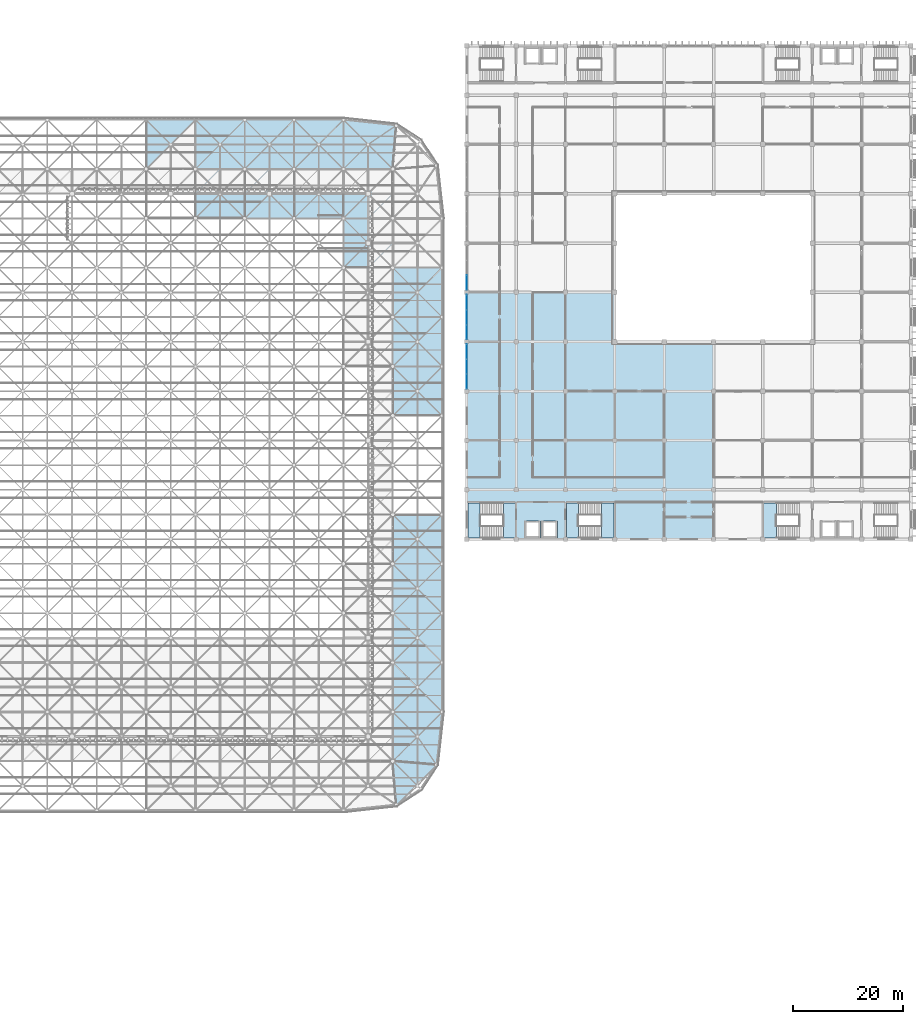
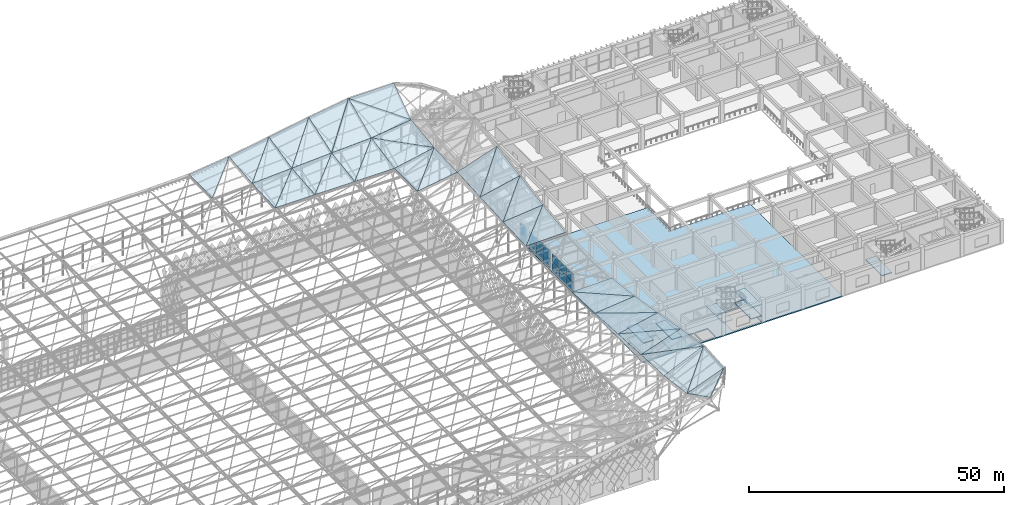
# One storey, part 248 of 437: 44 slabs, 14 plates, 6 elements without a shape of their own.
"""IFC4 building model written with IfcOpenShell, lengths in metres."""

from ifc_helpers import new_model, si_unit, direction, frame, origin, origin_2d, place, context, subcontext, project, spatial, polyline, rectangle, outline, extrude, material, layer, layer_set, type_object, element, aggregate, save


model = new_model("IFC4")

# Units and contexts
model_context = context("Model", 3, precision=1e-05, world=origin(), true_north=direction((0.0, 1.0)))
body_context = subcontext(model_context, "Body", "Model", "MODEL_VIEW")
ifc_project = project(units=[si_unit("LENGTHUNIT", "METRE"), si_unit("AREAUNIT", "SQUARE_METRE"), si_unit("VOLUMEUNIT", "CUBIC_METRE"), si_unit("PLANEANGLEUNIT", "RADIAN"), si_unit("MASSUNIT", "GRAM", prefix="KILO")], contexts=[model_context])

# Site, building, storey
site_placement = place(None, origin())
site = spatial("IfcSite", under=ifc_project, at=site_placement, CompositionType="ELEMENT")
building_placement = place(site_placement, origin())
building = spatial("IfcBuilding", under=site, at=building_placement, Name="Opaline Strait Convention Centre", CompositionType="ELEMENT")
storey_placement = place(building_placement, frame((0.0, 0.0, 11.5)))
storey = spatial("IfcBuildingStorey", under=building, at=storey_placement, Name="L02", CompositionType="ELEMENT", Elevation=11.5)

# Curtain wall, plates
ifc_material_1 = material(Name="Aluminium framed double glazing", Category="aluminium")
ifc_layer_1 = layer(ifc_material_1, 0.199951171875)
ifc_layer_set_1 = layer_set([ifc_layer_1], Name="Aluminium framed double glazing")
curtain_wall_type = type_object("IfcCurtainWallType", Name="Curtain wall 3000 module unitised", PredefinedType="NOTDEFINED", material=ifc_layer_set_1)
curtain_wall_1_placement = place(storey_placement, origin())
curtain_wall_1 = element("IfcCurtainWall", 1, at=curtain_wall_1_placement, inside=storey, type_object=curtain_wall_type, Name="Curtain wall W L02 32/P", PredefinedType="NOTDEFINED")
ifc_material_2 = material(Name="Double glazed unit low emissivity", Category="glass")
ifc_layer_2 = layer(ifc_material_2, 0.028076171875)
ifc_layer_set_2 = layer_set([ifc_layer_2], Name="Double glazed unit low emissivity")
plate_type = type_object("IfcPlateType", Name="Curtain wall glass panel 28", PredefinedType="CURTAIN_PANEL", material=ifc_layer_set_2)
plate_1_placement = place(storey_placement, frame((279.0, 118.781494140625, 0.06005859375), z_axis=(0.0, 0.0, 1.0), x_axis=(0.0, 1.0, 0.0)))
plate_1 = element("IfcPlate", 2, at=plate_1_placement, type_object=plate_type, Name="MCWR1 panel 1.1", PredefinedType="CURTAIN_PANEL", context=body_context, shape_type="SweptSolid", body=[
    extrude(rectangle(XDim=2.643310546875, YDim=0.028076171875, at=origin_2d()), origin(), (0.0, 0.0, 1.0), 2.070068359375),
])
plate_2_placement = place(storey_placement, frame((279.0, 118.781494140625, 2.18994140625), z_axis=(0.0, 0.0, 1.0), x_axis=(0.0, 1.0, 0.0)))
plate_2 = element("IfcPlate", 3, at=plate_2_placement, type_object=plate_type, Name="MCWR1 panel 1.2", PredefinedType="CURTAIN_PANEL", context=body_context, shape_type="SweptSolid", body=[
    extrude(rectangle(XDim=2.643310546875, YDim=0.028076171875, at=origin_2d()), origin(), (0.0, 0.0, 1.0), 2.070068359375),
])
plate_3_placement = place(storey_placement, frame((279.0, 121.5, 0.06005859375), z_axis=(0.0, 0.0, 1.0), x_axis=(0.0, 1.0, 0.0)))
plate_3 = element("IfcPlate", 4, at=plate_3_placement, type_object=plate_type, Name="MCWR1 panel 2.1", PredefinedType="CURTAIN_PANEL", context=body_context, shape_type="SweptSolid", body=[
    extrude(rectangle(XDim=2.67333984375, YDim=0.028076171875, at=origin_2d()), origin(), (0.0, 0.0, 1.0), 2.070068359375),
])
plate_4_placement = place(storey_placement, frame((279.0, 121.5, 2.18994140625), z_axis=(0.0, 0.0, 1.0), x_axis=(0.0, 1.0, 0.0)))
plate_4 = element("IfcPlate", 5, at=plate_4_placement, type_object=plate_type, Name="MCWR1 panel 2.2", PredefinedType="CURTAIN_PANEL", context=body_context, shape_type="SweptSolid", body=[
    extrude(rectangle(XDim=2.67333984375, YDim=0.028076171875, at=origin_2d()), origin(), (0.0, 0.0, 1.0), 2.070068359375),
])
plate_5_placement = place(storey_placement, frame((279.0, 124.218505859375, 0.06005859375), z_axis=(0.0, 0.0, 1.0), x_axis=(0.0, 1.0, 0.0)))
plate_5 = element("IfcPlate", 6, at=plate_5_placement, type_object=plate_type, Name="MCWR1 panel 3.1", PredefinedType="CURTAIN_PANEL", context=body_context, shape_type="SweptSolid", body=[
    extrude(rectangle(XDim=2.643310546875, YDim=0.028076171875, at=origin_2d()), origin(), (0.0, 0.0, 1.0), 2.070068359375),
])
plate_6_placement = place(storey_placement, frame((279.0, 124.218505859375, 2.18994140625), z_axis=(0.0, 0.0, 1.0), x_axis=(0.0, 1.0, 0.0)))
plate_6 = element("IfcPlate", 7, at=plate_6_placement, type_object=plate_type, Name="MCWR1 panel 3.2", PredefinedType="CURTAIN_PANEL", context=body_context, shape_type="SweptSolid", body=[
    extrude(rectangle(XDim=2.643310546875, YDim=0.028076171875, at=origin_2d()), origin(), (0.0, 0.0, 1.0), 2.070068359375),
])
aggregate(curtain_wall_1, [plate_1, plate_2, plate_3, plate_4, plate_5, plate_6])

curtain_wall_2_placement = place(storey_placement, origin())
curtain_wall_2 = element("IfcCurtainWall", 8, at=curtain_wall_2_placement, inside=storey, type_object=curtain_wall_type, Name="Curtain wall W L02 32/Q", PredefinedType="NOTDEFINED")
plate_7_placement = place(storey_placement, frame((279.0, 127.781494140625, 0.06005859375), z_axis=(0.0, 0.0, 1.0), x_axis=(0.0, 1.0, 0.0)))
plate_7 = element("IfcPlate", 9, at=plate_7_placement, type_object=plate_type, Name="MCWR1 panel 1.1", PredefinedType="CURTAIN_PANEL", context=body_context, shape_type="SweptSolid", body=[
    extrude(rectangle(XDim=2.643310546875, YDim=0.028076171875, at=origin_2d()), origin(), (0.0, 0.0, 1.0), 2.070068359375),
])
plate_8_placement = place(storey_placement, frame((279.0, 127.781494140625, 2.18994140625), z_axis=(0.0, 0.0, 1.0), x_axis=(0.0, 1.0, 0.0)))
plate_8 = element("IfcPlate", 10, at=plate_8_placement, type_object=plate_type, Name="MCWR1 panel 1.2", PredefinedType="CURTAIN_PANEL", context=body_context, shape_type="SweptSolid", body=[
    extrude(rectangle(XDim=2.643310546875, YDim=0.028076171875, at=origin_2d()), origin(), (0.0, 0.0, 1.0), 2.070068359375),
])
plate_9_placement = place(storey_placement, frame((279.0, 130.5, 0.06005859375), z_axis=(0.0, 0.0, 1.0), x_axis=(0.0, 1.0, 0.0)))
plate_9 = element("IfcPlate", 11, at=plate_9_placement, type_object=plate_type, Name="MCWR1 panel 2.1", PredefinedType="CURTAIN_PANEL", context=body_context, shape_type="SweptSolid", body=[
    extrude(rectangle(XDim=2.67333984375, YDim=0.028076171875, at=origin_2d()), origin(), (0.0, 0.0, 1.0), 2.070068359375),
])
plate_10_placement = place(storey_placement, frame((279.0, 130.5, 2.18994140625), z_axis=(0.0, 0.0, 1.0), x_axis=(0.0, 1.0, 0.0)))
plate_10 = element("IfcPlate", 12, at=plate_10_placement, type_object=plate_type, Name="MCWR1 panel 2.2", PredefinedType="CURTAIN_PANEL", context=body_context, shape_type="SweptSolid", body=[
    extrude(rectangle(XDim=2.67333984375, YDim=0.028076171875, at=origin_2d()), origin(), (0.0, 0.0, 1.0), 2.070068359375),
])
plate_11_placement = place(storey_placement, frame((279.0, 133.218505859375, 0.06005859375), z_axis=(0.0, 0.0, 1.0), x_axis=(0.0, 1.0, 0.0)))
plate_11 = element("IfcPlate", 13, at=plate_11_placement, type_object=plate_type, Name="MCWR1 panel 3.1", PredefinedType="CURTAIN_PANEL", context=body_context, shape_type="SweptSolid", body=[
    extrude(rectangle(XDim=2.643310546875, YDim=0.028076171875, at=origin_2d()), origin(), (0.0, 0.0, 1.0), 2.070068359375),
])
plate_12_placement = place(storey_placement, frame((279.0, 133.218505859375, 2.18994140625), z_axis=(0.0, 0.0, 1.0), x_axis=(0.0, 1.0, 0.0)))
plate_12 = element("IfcPlate", 14, at=plate_12_placement, type_object=plate_type, Name="MCWR1 panel 3.2", PredefinedType="CURTAIN_PANEL", context=body_context, shape_type="SweptSolid", body=[
    extrude(rectangle(XDim=2.643310546875, YDim=0.028076171875, at=origin_2d()), origin(), (0.0, 0.0, 1.0), 2.070068359375),
])
aggregate(curtain_wall_2, [plate_7, plate_8, plate_9, plate_10, plate_11, plate_12])

curtain_wall_3_placement = place(storey_placement, origin())
curtain_wall_3 = element("IfcCurtainWall", 15, at=curtain_wall_3_placement, inside=storey, type_object=curtain_wall_type, Name="Curtain wall W L02 32/R", PredefinedType="NOTDEFINED")
plate_13_placement = place(storey_placement, frame((279.0, 136.781494140625, 0.06005859375), z_axis=(0.0, 0.0, 1.0), x_axis=(0.0, 1.0, 0.0)))
plate_13 = element("IfcPlate", 16, at=plate_13_placement, type_object=plate_type, Name="MCWR1 panel 1.1", PredefinedType="CURTAIN_PANEL", context=body_context, shape_type="SweptSolid", body=[
    extrude(rectangle(XDim=2.643310546875, YDim=0.028076171875, at=origin_2d()), origin(), (0.0, 0.0, 1.0), 2.070068359375),
])
plate_14_placement = place(storey_placement, frame((279.0, 136.781494140625, 2.18994140625), z_axis=(0.0, 0.0, 1.0), x_axis=(0.0, 1.0, 0.0)))
plate_14 = element("IfcPlate", 17, at=plate_14_placement, type_object=plate_type, Name="MCWR1 panel 1.2", PredefinedType="CURTAIN_PANEL", context=body_context, shape_type="SweptSolid", body=[
    extrude(rectangle(XDim=2.643310546875, YDim=0.028076171875, at=origin_2d()), origin(), (0.0, 0.0, 1.0), 2.070068359375),
])
aggregate(curtain_wall_3, [plate_13, plate_14])

# Slabs
ifc_material_3 = material(Name="Steel Q235-B insulated roof panel", Category="steel")
ifc_layer_3 = layer(ifc_material_3, 0.1201171875)
ifc_layer_set_3 = layer_set([ifc_layer_3], Name="Steel Q235-B insulated roof panel")
slab_type_1 = type_object("IfcSlabType", Name="Insulated roof panel 120 steel Q235B facings", PredefinedType="ROOF", material=ifc_layer_set_3)
slab_1_placement = place(storey_placement, frame((266.166259765625, 41.527587890625, 25.28564453125), z_axis=(-0.367715653141, 0.367715653141, 0.854148931317), x_axis=(0.707106781187, 0.707106781187, 0.0)))
element("IfcSlab", 18, at=slab_1_placement, inside=storey, type_object=slab_type_1, Name="EXB-RF-D-20-0b", PredefinedType="ROOF", context=body_context, shape_type="SweptSolid", body=[
    extrude(outline(polyline([(0.0, 0.0), (10.332459733295225, 0.0), (5.166229866647613, 7.151520348846186), (0.0, 0.0)])), origin(), (0.0, 0.0, -1.0), 0.1201171875),
])
slab_2_placement = place(storey_placement, frame((265.5, 49.5, 21.548828125), z_axis=(-0.41014099982, 0.1306186589, 0.90262014503), x_axis=(0.903659000893, -0.075519381823, 0.421541496267)))
element("IfcSlab", 19, at=slab_2_placement, inside=storey, type_object=slab_type_1, Name="EXB-RF-D-20-1a", PredefinedType="ROOF", context=body_context, shape_type="SweptSolid", body=[
    extrude(outline(polyline([(0.0, 0.0), (8.822367841741972, 1.6653345369377348e-16), (8.628138827821312, 9.763360027984996), (0.0, 0.0)])), origin(), (0.0, 0.0, -1.0), 0.1201171875),
])
slab_3_placement = place(storey_placement, frame((265.5, 49.5, 21.546142578125), z_axis=(-0.399822259158, 0.118348966697, 0.908920064232), x_axis=(0.690740022732, 0.690740022732, 0.213907554783)))
element("IfcSlab", 20, at=slab_3_placement, inside=storey, type_object=slab_type_1, Name="EXB-RF-D-20-1b", PredefinedType="ROOF", context=body_context, shape_type="SweptSolid", body=[
    extrude(outline(polyline([(0.0, 0.0), (13.029504160489488, 7.771561172376096e-16), (5.965987288824933, 6.839611588767621), (0.0, 0.0)])), origin(), (0.0, 0.0, -1.0), 0.1201171875),
])
slab_4_placement = place(storey_placement, frame((274.5, 58.5, 24.320556640625), z_axis=(-0.317843500893, 0.140110604475, 0.937733718842), x_axis=(0.0, 0.989021203369, -0.147773675894)))
element("IfcSlab", 21, at=slab_4_placement, inside=storey, type_object=slab_type_1, Name="EXB-RF-D-20-2a", PredefinedType="ROOF", context=body_context, shape_type="SweptSolid", body=[
    extrude(outline(polyline([(0.0, 0.0), (9.099906017530788, 0.0), (9.550695099634037, 9.492237136688617), (0.0, 0.0)])), origin(), (0.0, 0.0, -1.0), 0.1201171875),
])
slab_5_placement = place(storey_placement, frame((265.5, 58.5, 20.372314453125), z_axis=(-0.402256267208, 0.044328561267, 0.91445331983), x_axis=(0.915353106268, 0.0, 0.402652071702)))
element("IfcSlab", 22, at=slab_5_placement, inside=storey, type_object=slab_type_1, Name="EXB-RF-D-20-2b", PredefinedType="ROOF", context=body_context, shape_type="SweptSolid", body=[
    extrude(outline(polyline([(0.0, 0.0), (9.832271216839684, 0.0), (-0.17566876272756846, 9.008855649342125), (0.0, 0.0)])), origin(), (0.0, 0.0, -1.0), 0.1201171875),
])
slab_6_placement = place(storey_placement, frame((274.5, 67.5, 22.965087890625), z_axis=(-0.21150212327, 0.169488923722, 0.962569663239), x_axis=(0.0, 0.984849380901, -0.173411928478)))
element("IfcSlab", 23, at=slab_6_placement, inside=storey, type_object=slab_type_1, Name="EXB-RF-D-20-3a", PredefinedType="ROOF", context=body_context, shape_type="SweptSolid", body=[
    extrude(outline(polyline([(0.0, 0.0), (9.138453223948666, 0.0), (9.481382086418247, 9.208314750213457), (0.0, 0.0)])), origin(), (0.0, 0.0, -1.0), 0.1201171875),
])
slab_7_placement = place(storey_placement, frame((265.5, 67.5, 19.922607421875), z_axis=(-0.320545588551, 0.053770592525, 0.945705688383), x_axis=(0.94707580852, 0.0, 0.321009988809)))
element("IfcSlab", 24, at=slab_7_placement, inside=storey, type_object=slab_type_1, Name="EXB-RF-D-20-3b", PredefinedType="ROOF", context=body_context, shape_type="SweptSolid", body=[
    extrude(outline(polyline([(0.0, 0.0), (9.502935160026821, -2.7755575615628914e-17), (-0.16426683021097058, 9.013039026188338), (0.0, 0.0)])), origin(), (0.0, 0.0, -1.0), 0.1201171875),
])
slab_8_placement = place(storey_placement, frame((274.5, 76.5, 21.373291015625), z_axis=(-0.102213644133, 0.166436376287, 0.980740181496), x_axis=(0.0, 0.985903883041, -0.16731268154)))
element("IfcSlab", 25, at=slab_8_placement, inside=storey, type_object=slab_type_1, Name="EXB-RF-D-20-4a", PredefinedType="ROOF", context=body_context, shape_type="SweptSolid", body=[
    extrude(outline(polyline([(0.0, 0.0), (9.128678925817473, 0.0), (9.285616260406897, 9.047385958870898), (0.0, 0.0)])), origin(), (0.0, 0.0, -1.0), 0.1201171875),
])
slab_9_placement = place(storey_placement, frame((265.5, 76.5, 19.39892578125), z_axis=(-0.214306975953, 0.052862387402, 0.975334859449), x_axis=(0.976700475679, 0.0, 0.214607038113)))
element("IfcSlab", 26, at=slab_9_placement, inside=storey, type_object=slab_type_1, Name="EXB-RF-D-20-4b", PredefinedType="ROOF", context=body_context, shape_type="SweptSolid", body=[
    extrude(outline(polyline([(0.0, 0.0), (9.21469808207048, -2.7755575615628914e-17), (-0.10468380423585413, 9.012601360400483), (0.0, 0.0)])), origin(), (0.0, 0.0, -1.0), 0.1201171875),
])
slab_10_placement = place(storey_placement, frame((274.5, 85.5, 19.842041015625), z_axis=(-0.020651645521, 0.119898015001, 0.992571395687), x_axis=(0.0, 0.992783124532, -0.119923590862)))
element("IfcSlab", 27, at=slab_10_placement, inside=storey, type_object=slab_type_1, Name="EXB-RF-D-20-5a", PredefinedType="ROOF", context=body_context, shape_type="SweptSolid", body=[
    extrude(outline(polyline([(0.0, 0.0), (9.065424036338399, 3.469446951953614e-18), (9.087880431404612, 9.001919821193194), (0.0, 0.0)])), origin(), (0.0, 0.0, -1.0), 0.1201171875),
])
slab_11_placement = place(storey_placement, frame((265.5, 85.5, 18.904052734375), z_axis=(-0.103587896138, 0.037153597313, 0.99392613306), x_axis=(0.994612846836, 0.0, 0.103659466079)))
element("IfcSlab", 28, at=slab_11_placement, inside=storey, type_object=slab_type_1, Name="EXB-RF-D-20-5b", PredefinedType="ROOF", context=body_context, shape_type="SweptSolid", body=[
    extrude(outline(polyline([(0.0, 0.0), (9.048746985951277, 0.0), (-0.034873716859672076, 9.006218192458034), (0.0, 0.0)])), origin(), (0.0, 0.0, -1.0), 0.1201171875),
])
slab_12_placement = place(storey_placement, frame((265.5, 112.5, 18.567626953125), z_axis=(-0.020651645521, -0.119898015001, 0.992571395687), x_axis=(0.999783621134, 0.0, 0.020801704574)))
element("IfcSlab", 29, at=slab_12_placement, inside=storey, type_object=slab_type_1, Name="EXB-RF-D-20-8a", PredefinedType="ROOF", context=body_context, shape_type="SweptSolid", body=[
    extrude(outline(polyline([(0.0, 0.0), (9.00194783126798, 0.0), (9.024562575034395, 9.065395828753775), (0.0, 0.0)])), origin(), (0.0, 0.0, -1.0), 0.1201171875),
])
slab_13_placement = place(storey_placement, frame((265.5, 112.5, 18.567626953125), z_axis=(-0.103587896138, -0.037153597313, 0.99392613306), x_axis=(0.703588662414, 0.703588662414, 0.099629253955)))
element("IfcSlab", 30, at=slab_13_placement, inside=storey, type_object=slab_type_1, Name="EXB-RF-D-20-8b", PredefinedType="ROOF", context=body_context, shape_type="SweptSolid", body=[
    extrude(outline(polyline([(0.0, 0.0), (12.791564845737122, -5.551115123125783e-16), (6.365815811327357, 6.370994534807285), (0.0, 0.0)])), origin(), (0.0, 0.0, -1.0), 0.1201171875),
])
slab_14_placement = place(storey_placement, frame((265.5, 121.5, 18.907958984375), z_axis=(-0.102213644133, -0.166436376287, 0.980740181496), x_axis=(0.994612846836, 0.0, 0.103659466079)))
element("IfcSlab", 31, at=slab_14_placement, inside=storey, type_object=slab_type_1, Name="EXB-RF-D-20-9a", PredefinedType="ROOF", context=body_context, shape_type="SweptSolid", body=[
    extrude(outline(polyline([(0.0, 0.0), (9.048746985951277, 0.0), (9.207070623595767, 9.127305876129443), (0.0, 0.0)])), origin(), (0.0, 0.0, -1.0), 0.1201171875),
])
slab_15_placement = place(storey_placement, frame((265.5, 121.5, 18.9111328125), z_axis=(-0.214306975953, -0.052862387402, 0.975334859449), x_axis=(0.694204223982, 0.694204223982, 0.190160434401)))
element("IfcSlab", 32, at=slab_15_placement, inside=storey, type_object=slab_type_1, Name="EXB-RF-D-20-9b", PredefinedType="ROOF", context=body_context, shape_type="SweptSolid", body=[
    extrude(outline(polyline([(0.0, 0.0), (12.964484641678096, 2.7755575615628914e-16), (6.340596938671506, 6.4058389334786945), (0.0, 0.0)])), origin(), (0.0, 0.0, -1.0), 0.1201171875),
])
slab_16_placement = place(storey_placement, frame((265.5, 130.5, 19.40283203125), z_axis=(-0.21150212327, -0.169488923722, 0.962569663239), x_axis=(0.976700475679, 0.0, 0.214607038113)))
element("IfcSlab", 33, at=slab_16_placement, inside=storey, type_object=slab_type_1, Name="EXB-RF-D-20-10a", PredefinedType="ROOF", context=body_context, shape_type="SweptSolid", body=[
    extrude(outline(polyline([(0.0, 0.0), (9.21469808207048, 5.551115123125783e-17), (9.55478946009597, 9.132122709473986), (0.0, 0.0)])), origin(), (0.0, 0.0, -1.0), 0.1201171875),
])
slab_17_placement = place(storey_placement, frame((265.5, 130.5, 19.410888671875), z_axis=(-0.320545588551, -0.053770592525, 0.945705688383), x_axis=(0.680940085926, 0.680940085926, 0.26952031233)))
element("IfcSlab", 34, at=slab_17_placement, inside=storey, type_object=slab_type_1, Name="EXB-RF-D-20-10b", PredefinedType="ROOF", context=body_context, shape_type="SweptSolid", body=[
    extrude(outline(polyline([(0.0, 0.0), (13.21702185848429, 2.220446049250313e-16), (6.2663793706578295, 6.48030444208415), (0.0, 0.0)])), origin(), (0.0, 0.0, -1.0), 0.1201171875),
])
slab_18_placement = place(storey_placement, frame((256.5, 139.5, 18.5048828125), z_axis=(-0.153677176429, -0.047870172727, 0.986960876635), x_axis=(0.988093660678, 0.0, 0.153853559361)))
element("IfcSlab", 35, at=slab_18_placement, inside=storey, type_object=slab_type_1, Name="EXB-RF-D-19-11a", PredefinedType="ROOF", context=body_context, shape_type="SweptSolid", body=[
    extrude(outline(polyline([(0.0, 0.0), (9.108448275870137, 0.0), (9.175608960474097, 9.010329747236243), (0.0, 0.0)])), origin(), (0.0, 0.0, -1.0), 0.1201171875),
])
slab_19_placement = place(storey_placement, frame((256.5, 139.5, 18.507568359375), z_axis=(-0.200080818622, 0.0, 0.979779396609), x_axis=(0.699848198846, 0.699848198846, 0.142916049287)))
element("IfcSlab", 36, at=slab_19_placement, inside=storey, type_object=slab_type_1, Name="EXB-RF-D-19-11b", PredefinedType="ROOF", context=body_context, shape_type="SweptSolid", body=[
    extrude(outline(polyline([(0.0, 0.0), (12.859931646375998, -2.220446049250313e-16), (6.298633789614757, 6.4286244550699365), (0.0, 0.0)])), origin(), (0.0, 0.0, -1.0), 0.1201171875),
])
slab_20_placement = place(storey_placement, frame((229.5, 148.5, 18.50146484375), z_axis=(0.0, -0.098370391991, 0.995149871115), x_axis=(1.0, 0.0, 0.0)))
element("IfcSlab", 37, at=slab_20_placement, inside=storey, type_object=slab_type_1, Name="EXB-RF-D-16-12a", PredefinedType="ROOF", context=body_context, shape_type="SweptSolid", body=[
    extrude(outline(polyline([(0.0, 0.0), (9.0, 0.0), (9.0, 9.043863905563052), (0.0, 0.0)])), origin(), (0.0, 0.0, -1.0), 0.1201171875),
])
slab_21_placement = place(storey_placement, frame((229.5, 148.5, 18.500732421875), z_axis=(-0.05409305744, -0.044540856702, 0.997542005743), x_axis=(0.70538480759, 0.70538480759, 0.069746300555)))
element("IfcSlab", 38, at=slab_21_placement, inside=storey, type_object=slab_type_1, Name="EXB-RF-D-16-12b", PredefinedType="ROOF", context=body_context, shape_type="SweptSolid", body=[
    extrude(outline(polyline([(0.0, 0.0), (12.75899325184405, 7.225123277443402e-16), (6.376491200617338, 6.364106204818864), (0.0, 0.0)])), origin(), (0.0, 0.0, -1.0), 0.1201171875),
])
slab_22_placement = place(storey_placement, frame((238.5, 148.5, 18.50341796875), z_axis=(0.0, -0.153853559361, 0.988093660678), x_axis=(1.0, 0.0, 0.0)))
element("IfcSlab", 39, at=slab_22_placement, inside=storey, type_object=slab_type_1, Name="EXB-RF-D-17-12a", PredefinedType="ROOF", context=body_context, shape_type="SweptSolid", body=[
    extrude(outline(polyline([(0.0, 0.0), (9.0, 0.0), (9.0, 9.108448275870137), (0.0, 0.0)])), origin(), (0.0, 0.0, -1.0), 0.1201171875),
])
slab_23_placement = place(storey_placement, frame((238.5, 148.5, 18.501953125), z_axis=(-0.056491515248, -0.098213302273, 0.993560695661), x_axis=(0.702859440181, 0.702859440181, 0.109440461877)))
element("IfcSlab", 40, at=slab_23_placement, inside=storey, type_object=slab_type_1, Name="EXB-RF-D-17-12b", PredefinedType="ROOF", context=body_context, shape_type="SweptSolid", body=[
    extrude(outline(polyline([(0.0, 0.0), (12.804836195524006, -2.7755575615628914e-17), (6.423098497540556, 6.366732288485081), (0.0, 0.0)])), origin(), (0.0, 0.0, -1.0), 0.1201171875),
])
slab_24_placement = place(storey_placement, frame((247.5, 148.5, 18.505859375), z_axis=(0.0, -0.200080818622, 0.979779396609), x_axis=(1.0, 0.0, 0.0)))
element("IfcSlab", 41, at=slab_24_placement, inside=storey, type_object=slab_type_1, Name="EXB-RF-D-18-12a", PredefinedType="ROOF", context=body_context, shape_type="SweptSolid", body=[
    extrude(outline(polyline([(0.0, 0.0), (9.0, 0.0), (9.0, 9.185741230268949), (0.0, 0.0)])), origin(), (0.0, 0.0, -1.0), 0.1201171875),
])
slab_25_placement = place(storey_placement, frame((247.5, 148.5, 18.50390625), z_axis=(-0.047870172727, -0.153677176429, 0.986960876635), x_axis=(0.699848198846, 0.699848198846, 0.142916049287)))
element("IfcSlab", 42, at=slab_25_placement, inside=storey, type_object=slab_type_1, Name="EXB-RF-D-18-12b", PredefinedType="ROOF", context=body_context, shape_type="SweptSolid", body=[
    extrude(outline(polyline([(0.0, 0.0), (12.859931646375998, 9.43689570931383e-16), (6.498911651652591, 6.3818474862860715), (0.0, 0.0)])), origin(), (0.0, 0.0, -1.0), 0.1201171875),
])
slab_26_placement = place(storey_placement, frame((265.5, 148.5, 20.34326171875), z_axis=(-0.128055354825, -0.128055354825, 0.983465125056), x_axis=(0.0, 0.991629186244, 0.129118383625)))
element("IfcSlab", 43, at=slab_26_placement, inside=storey, type_object=slab_type_1, Name="EXB-RF-D-19-12a", PredefinedType="ROOF", context=body_context, shape_type="SweptSolid", body=[
    extrude(outline(polyline([(0.0, 0.0), (9.075973282002598, 0.0), (8.924662676191517, 9.074711902655318), (0.0, 0.0)])), origin(), (0.0, 0.0, -1.0), 0.1201171875),
])
slab_27_placement = place(storey_placement, frame((256.5, 148.5, 18.513427734375), z_axis=(-0.196192334495, -0.196192334495, 0.960737808026), x_axis=(0.979779396609, 0.0, 0.200080818622)))
element("IfcSlab", 44, at=slab_27_placement, inside=storey, type_object=slab_type_1, Name="EXB-RF-D-19-12b", PredefinedType="ROOF", context=body_context, shape_type="SweptSolid", body=[
    extrude(outline(polyline([(0.0, 0.0), (9.185741230268949, 5.551115123125783e-17), (0.3677266607872854, 9.17837780070145), (0.0, 0.0)])), origin(), (0.0, 0.0, -1.0), 0.1201171875),
])
slab_28_placement = place(storey_placement, frame((220.5, 157.5, 18.568115234375), z_axis=(-0.119898015001, -0.020651645521, 0.992571395687), x_axis=(0.703588662414, 0.703588662414, 0.099629253955)))
element("IfcSlab", 45, at=slab_28_placement, inside=storey, type_object=slab_type_1, Name="EXB-RF-D-15-13b", PredefinedType="ROOF", context=body_context, shape_type="SweptSolid", body=[
    extrude(outline(polyline([(0.0, 0.0), (12.791564845737122, 4.440892098500626e-16), (6.3509541232984, 6.3796901555349335), (0.0, 0.0)])), origin(), (0.0, 0.0, -1.0), 0.1201171875),
])
slab_29_placement = place(storey_placement, frame((229.5, 157.5, 18.9091796875), z_axis=(-0.052862387402, -0.214306975953, 0.975334859449), x_axis=(0.998534450404, 0.0, 0.054119787107)))
element("IfcSlab", 46, at=slab_29_placement, inside=storey, type_object=slab_type_1, Name="EXB-RF-D-16-13a", PredefinedType="ROOF", context=body_context, shape_type="SweptSolid", body=[
    extrude(outline(polyline([(0.0, 0.0), (9.013209305256478, 1.3877787807814457e-17), (9.120233298314465, 9.214076546709567), (0.0, 0.0)])), origin(), (0.0, 0.0, -1.0), 0.1201171875),
])
slab_30_placement = place(storey_placement, frame((229.5, 157.5, 18.90869140625), z_axis=(-0.166436376287, -0.102213644133, 0.980740181496), x_axis=(0.694204223982, 0.694204223982, 0.190160434401)))
element("IfcSlab", 47, at=slab_30_placement, inside=storey, type_object=slab_type_1, Name="EXB-RF-D-16-13b", PredefinedType="ROOF", context=body_context, shape_type="SweptSolid", body=[
    extrude(outline(polyline([(0.0, 0.0), (12.964484641678096, -3.7470027081099033e-16), (6.426206274861919, 6.3705333315733945), (0.0, 0.0)])), origin(), (0.0, 0.0, -1.0), 0.1201171875),
])
slab_31_placement = place(storey_placement, frame((238.5, 157.5, 19.406005859375), z_axis=(-0.053770150344, -0.32056860625, 0.945697911396), x_axis=(0.998387513024, 0.0, 0.056765956687)))
element("IfcSlab", 48, at=slab_31_placement, inside=storey, type_object=slab_type_1, Name="EXB-RF-D-17-13a", PredefinedType="ROOF", context=body_context, shape_type="SweptSolid", body=[
    extrude(outline(polyline([(0.0, 0.0), (9.014535821610648, 0.0), (9.187716337908657, 9.501435404407394), (0.0, 0.0)])), origin(), (0.0, 0.0, -1.0), 0.1201171875),
])
slab_32_placement = place(storey_placement, frame((238.5, 157.5, 19.402099609375), z_axis=(-0.169488923722, -0.21150212327, 0.962569663239), x_axis=(0.680940085926, 0.680940085926, 0.26952031233)))
element("IfcSlab", 49, at=slab_32_placement, inside=storey, type_object=slab_type_1, Name="EXB-RF-D-17-13b", PredefinedType="ROOF", context=body_context, shape_type="SweptSolid", body=[
    extrude(outline(polyline([(0.0, 0.0), (13.217021858484292, -3.885780586188048e-16), (6.6614477191029176, 6.366771162007627), (0.0, 0.0)])), origin(), (0.0, 0.0, -1.0), 0.1201171875),
])
slab_33_placement = place(storey_placement, frame((247.5, 157.5, 19.927978515625), z_axis=(-0.044353761183, -0.402235032208, 0.914461438626), x_axis=(0.998825819985, 0.0, 0.048445653378)))
element("IfcSlab", 50, at=slab_33_placement, inside=storey, type_object=slab_type_1, Name="EXB-RF-D-18-13a", PredefinedType="ROOF", context=body_context, shape_type="SweptSolid", body=[
    extrude(outline(polyline([(0.0, 0.0), (9.010580043009819, 0.0), (9.202363800218606, 9.83030229615195), (0.0, 0.0)])), origin(), (0.0, 0.0, -1.0), 0.1201171875),
])
slab_34_placement = place(storey_placement, frame((247.5, 157.5, 19.92138671875), z_axis=(-0.140085666053, -0.317844633618, 0.937737060719), x_axis=(0.66838117447, 0.66838117447, 0.326394257346)))
element("IfcSlab", 51, at=slab_34_placement, inside=storey, type_object=slab_type_1, Name="EXB-RF-D-18-13b", PredefinedType="ROOF", context=body_context, shape_type="SweptSolid", body=[
    extrude(outline(polyline([(0.0, 0.0), (13.465370276381893, -1.2212453270876722e-15), (7.011108364550149, 6.414837188597144), (0.0, 0.0)])), origin(), (0.0, 0.0, -1.0), 0.1201171875),
])
slab_35_placement = place(storey_placement, frame((265.5, 157.5, 21.541015625), z_axis=(-0.1306186589, -0.41014099982, 0.90262014503), x_axis=(0.075519381823, 0.903659000893, 0.421541496267)))
element("IfcSlab", 52, at=slab_35_placement, inside=storey, type_object=slab_type_1, Name="EXB-RF-D-19-13a", PredefinedType="ROOF", context=body_context, shape_type="SweptSolid", body=[
    extrude(outline(polyline([(0.0, 0.0), (8.822367841741972, 1.6653345369377348e-16), (8.628138827821312, 9.763360027984996), (0.0, 0.0)])), origin(), (0.0, 0.0, -1.0), 0.1201171875),
])
slab_36_placement = place(storey_placement, frame((256.5, 157.5, 20.366943359375), z_axis=(-0.1183246559, -0.399823425729, 0.908922716211), x_axis=(0.99163263007, 0.0, 0.129091932284)))
element("IfcSlab", 53, at=slab_36_placement, inside=storey, type_object=slab_type_1, Name="EXB-RF-D-19-13b", PredefinedType="ROOF", context=body_context, shape_type="SweptSolid", body=[
    extrude(outline(polyline([(0.0, 0.0), (9.075941762188638, 5.551115123125783e-17), (0.5110729428496128, 9.818979668406548), (0.0, 0.0)])), origin(), (0.0, 0.0, -1.0), 0.1201171875),
])
ifc_material_4 = material(Name="Concrete C35", Category="concrete")
ifc_layer_4 = layer(ifc_material_4, 0.280029296875)
ifc_layer_set_4 = layer_set([ifc_layer_4], Name="Concrete C35")
slab_type_2 = type_object("IfcSlabType", Name="RC floor slab 280 C35", PredefinedType="FLOOR", material=ifc_layer_set_4)
slab_37_placement = place(storey_placement, frame((0.0, 0.0, -0.280029296875)))
element("IfcSlab", 54, at=slab_37_placement, inside=storey, type_object=slab_type_2, Name="XS2 L02 slab pour SW", PredefinedType="FLOOR", context=body_context, shape_type="SweptSolid", body=[
    extrude(outline(polyline([(278.800048828125, 89.800048828125), (278.800048828125, 135.0), (306.0, 135.0), (306.0, 126.0), (324.0, 126.0), (324.0, 89.800048828125), (278.800048828125, 89.800048828125)]), holes=[polyline([(289.5, 93.35009765625), (289.5, 90.25), (292.39990234375, 90.25), (292.39990234375, 93.35009765625), (289.5, 93.35009765625)]), polyline([(292.60009765625, 93.35009765625), (292.60009765625, 90.25), (295.5, 90.25), (295.5, 93.35009765625), (292.60009765625, 93.35009765625)]), polyline([(299.3505859375, 96.599853515625), (299.3505859375, 90.199951171875), (305.849853515625, 90.199951171875), (305.849853515625, 96.599853515625), (299.3505859375, 96.599853515625)]), polyline([(279.2001953125, 96.60009765625), (279.2001953125, 90.2001953125), (285.6494140625, 90.2001953125), (285.6494140625, 96.60009765625), (279.2001953125, 96.60009765625)])]), origin(), (0.0, 0.0, 1.0), 0.280029296875),
])

# Stair, slabs
ifc_material_5 = material(Name="Concrete C40", Category="concrete")
stair_type = type_object("IfcStairType", Name="Escape stair half-turn 2200 concrete C40", PredefinedType="HALF_TURN_STAIR", material=ifc_material_5)
stair_1_placement = place(storey_placement, origin())
stair_1 = element("IfcStair", 55, at=stair_1_placement, inside=storey, type_object=stair_type, Name="L02 Stair S1-MTG", ObjectType="MST1", PredefinedType="HALF_TURN_STAIR")
ifc_layer_5 = layer(ifc_material_5, 0.199951171875)
ifc_layer_set_5 = layer_set([ifc_layer_5], Name="Concrete C40")
slab_type_3 = type_object("IfcSlabType", Name="Stair landing 200 concrete C40", PredefinedType="LANDING", material=ifc_layer_set_5)
slab_38_placement = place(storey_placement, frame((0.0, 0.0, 1.175048828125)))
slab_38 = element("IfcSlab", 56, at=slab_38_placement, type_object=slab_type_3, Name="S1 landing 1", ObjectType="MSL1", PredefinedType="LANDING", context=body_context, shape_type="SweptSolid", body=[
    extrude(outline(polyline([(281.4501953125, 96.60009765625), (279.2001953125, 96.60009765625), (279.2001953125, 90.2001953125), (281.4501953125, 90.2001953125), (281.4501953125, 96.60009765625)])), origin(), (0.0, 0.0, 1.0), 0.199951171875),
])
slab_39_placement = place(storey_placement, frame((0.0, 0.0, 2.550048828125)))
slab_39 = element("IfcSlab", 57, at=slab_39_placement, type_object=slab_type_3, Name="S1 landing 2", ObjectType="MSL1", PredefinedType="LANDING", context=body_context, shape_type="SweptSolid", body=[
    extrude(outline(polyline([(287.85009765625, 96.60009765625), (285.650146484375, 96.60009765625), (285.650146484375, 90.2001953125), (287.85009765625, 90.2001953125), (287.85009765625, 96.60009765625)])), origin(), (0.0, 0.0, 1.0), 0.199951171875),
])
slab_40_placement = place(storey_placement, frame((0.0, 0.0, 3.925048828125)))
slab_40 = element("IfcSlab", 58, at=slab_40_placement, type_object=slab_type_3, Name="S1 landing 3", ObjectType="MSL1", PredefinedType="LANDING", context=body_context, shape_type="SweptSolid", body=[
    extrude(outline(polyline([(281.4501953125, 96.60009765625), (279.2001953125, 96.60009765625), (279.2001953125, 90.2001953125), (281.4501953125, 90.2001953125), (281.4501953125, 96.60009765625)])), origin(), (0.0, 0.0, 1.0), 0.199951171875),
])
aggregate(stair_1, [slab_38, slab_39, slab_40])

stair_2_placement = place(storey_placement, origin())
stair_2 = element("IfcStair", 59, at=stair_2_placement, inside=storey, type_object=stair_type, Name="L02 Stair S2-MTG", ObjectType="MST1", PredefinedType="HALF_TURN_STAIR")
slab_41_placement = place(storey_placement, frame((0.0, 0.0, 1.175048828125)))
slab_41 = element("IfcSlab", 60, at=slab_41_placement, type_object=slab_type_3, Name="S2 landing 1", ObjectType="MSL1", PredefinedType="LANDING", context=body_context, shape_type="SweptSolid", body=[
    extrude(outline(polyline([(303.5498046875, 90.199951171875), (305.849853515625, 90.199951171875), (305.849853515625, 96.599853515625), (303.5498046875, 96.599853515625), (303.5498046875, 90.199951171875)])), origin(), (0.0, 0.0, 1.0), 0.199951171875),
])
slab_42_placement = place(storey_placement, frame((0.0, 0.0, 2.550048828125)))
slab_42 = element("IfcSlab", 61, at=slab_42_placement, type_object=slab_type_3, Name="S2 landing 2", ObjectType="MSL1", PredefinedType="LANDING", context=body_context, shape_type="SweptSolid", body=[
    extrude(outline(polyline([(297.14990234375, 90.199951171875), (299.349853515625, 90.199951171875), (299.349853515625, 96.599853515625), (297.14990234375, 96.599853515625), (297.14990234375, 90.199951171875)])), origin(), (0.0, 0.0, 1.0), 0.199951171875),
])
slab_43_placement = place(storey_placement, frame((0.0, 0.0, 3.925048828125)))
slab_43 = element("IfcSlab", 62, at=slab_43_placement, type_object=slab_type_3, Name="S2 landing 3", ObjectType="MSL1", PredefinedType="LANDING", context=body_context, shape_type="SweptSolid", body=[
    extrude(outline(polyline([(303.5498046875, 90.199951171875), (305.849853515625, 90.199951171875), (305.849853515625, 96.599853515625), (303.5498046875, 96.599853515625), (303.5498046875, 90.199951171875)])), origin(), (0.0, 0.0, 1.0), 0.199951171875),
])
aggregate(stair_2, [slab_41, slab_42, slab_43])

# Stair, slab
stair_3_placement = place(storey_placement, origin())
stair_3 = element("IfcStair", 63, at=stair_3_placement, inside=storey, type_object=stair_type, Name="L02 Stair S4-MTG", ObjectType="MST1", PredefinedType="HALF_TURN_STAIR")
slab_44_placement = place(storey_placement, frame((0.0, 0.0, 1.175048828125)))
slab_44 = element("IfcSlab", 64, at=slab_44_placement, type_object=slab_type_3, Name="S4 landing 1", ObjectType="MSL1", PredefinedType="LANDING", context=body_context, shape_type="SweptSolid", body=[
    extrude(outline(polyline([(335.4501953125, 96.60009765625), (333.150146484375, 96.60009765625), (333.150146484375, 90.2001953125), (335.4501953125, 90.2001953125), (335.4501953125, 96.60009765625)])), origin(), (0.0, 0.0, 1.0), 0.199951171875),
])
aggregate(stair_3, [slab_44])

save(model, "model.ifc")
